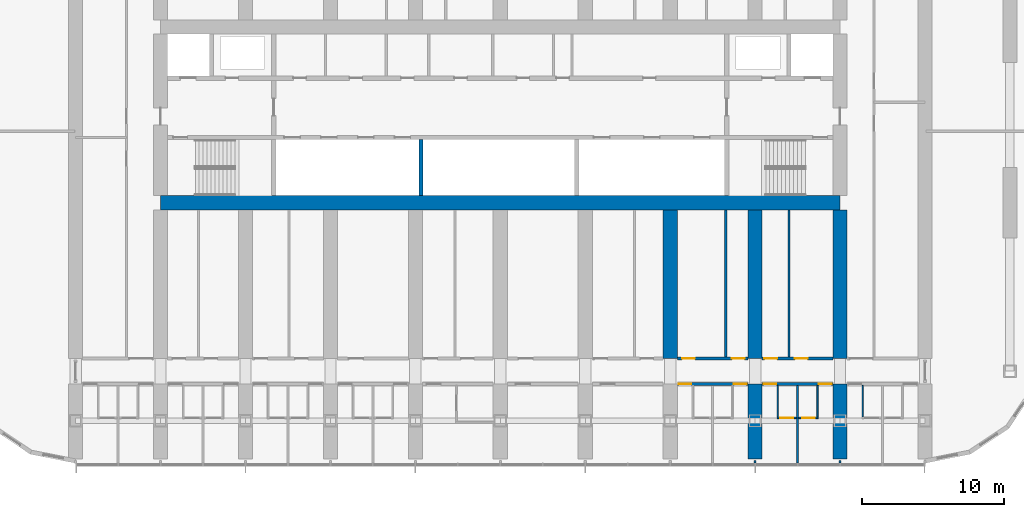
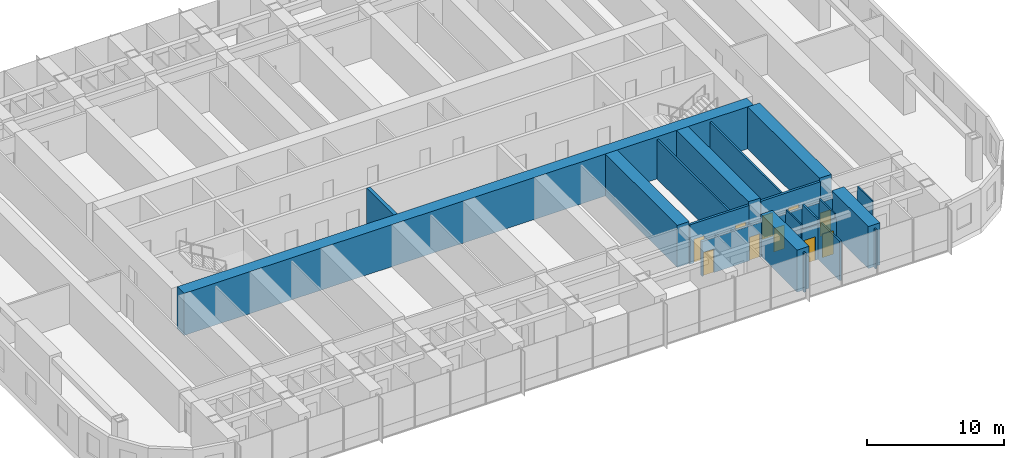
# One storey, part 15 of 28: 21 walls, 10 doors, 10 openings.
"""IFC4 building model written with IfcOpenShell, lengths in metres."""

from ifc_helpers import new_model, si_unit, direction, frame, frame_2d, origin, place, context, subcontext, project, spatial, polyline, rectangle, outline, extrude, material, layer, layer_set, type_object, element, fill, save


model = new_model("IFC4")

# Units and contexts
model_context = context("Model", 3, precision=1e-05, world=origin(), true_north=direction((0.0, 1.0)))
body_context = subcontext(model_context, "Body", "Model", "MODEL_VIEW")
ifc_project = project(units=[si_unit("LENGTHUNIT", "METRE"), si_unit("AREAUNIT", "SQUARE_METRE"), si_unit("VOLUMEUNIT", "CUBIC_METRE"), si_unit("PLANEANGLEUNIT", "RADIAN"), si_unit("MASSUNIT", "GRAM", prefix="KILO")], contexts=[model_context])

# Site, building, storey
site_placement = place(None, origin())
site = spatial("IfcSite", under=ifc_project, at=site_placement, CompositionType="ELEMENT")
building_placement = place(site_placement, origin())
building = spatial("IfcBuilding", under=site, at=building_placement, Name="Orbita Commons", CompositionType="ELEMENT")
storey_placement = place(building_placement, frame((0.0, 0.0, 38.949951171875)))
storey = spatial("IfcBuildingStorey", under=building, at=storey_placement, Name="L09", CompositionType="ELEMENT", Elevation=38.949951171875)

# Walls
ifc_material_1 = material(Name="Concrete C50/60", Category="concrete")
ifc_layer_1 = layer(ifc_material_1, 0.300048828125)
ifc_layer_set_1 = layer_set([ifc_layer_1], Name="Concrete C50/60")
wall_type_1 = type_object("IfcWallType", Name="Core inner wall 300 C50/60", PredefinedType="SHEAR", material=ifc_layer_set_1)
wall_1_placement = place(storey_placement, frame((36.39990234375, 26.300048828125, 0.0), z_axis=(0.0, 0.0, 1.0), x_axis=(0.0, 1.0, 0.0)))
element("IfcWall", 1, at=wall_1_placement, inside=storey, type_object=wall_type_1, Name="Hoistway division wall L09", PredefinedType="SHEAR", context=body_context, shape_type="SweptSolid", body=[
    extrude(rectangle(XDim=3.949951171875, YDim=0.300048828125, at=frame_2d((1.97509765625, 0.0))), origin(), (0.0, 0.0, 1.0), 3.75),
])
ifc_material_2 = material(Name="Concrete C50/60", Category="concrete")
ifc_layer_2 = layer(ifc_material_2, 1.0)
ifc_layer_set_2 = layer_set([ifc_layer_2], Name="Concrete C50/60")
wall_type_2 = type_object("IfcWallType", Name="Core wall 1000 C50/60", PredefinedType="SHEAR", material=ifc_layer_set_2)
wall_2_placement = place(storey_placement, frame((18.0, 25.800048828125, 0.0), z_axis=(0.0, 0.0, 1.0), x_axis=(1.0, 0.0, 0.0)))
element("IfcWall", 2, at=wall_2_placement, inside=storey, type_object=wall_type_2, Name="Core spine wall south L09", PredefinedType="SHEAR", context=body_context, shape_type="SweptSolid", body=[
    extrude(rectangle(XDim=48.0, YDim=1.0, at=frame_2d((24.0, 0.0))), origin(), (0.0, 0.0, 1.0), 3.75),
])

# Wall, openings, doors
ifc_material_3 = material(Name="Concrete blockwork", Category="masonry")
ifc_layer_3 = layer(ifc_material_3, 0.199951171875)
ifc_layer_set_3 = layer_set([ifc_layer_3], Name="Concrete blockwork")
wall_type_3 = type_object("IfcWallType", Name="Corridor wall 200 blockwork", PredefinedType="SOLIDWALL", material=ifc_layer_set_3)
wall_3_placement = place(storey_placement, frame((54.5, 13.0, 0.0), z_axis=(0.0, 0.0, 1.0), x_axis=(1.0, 0.0, 0.0)))
wall_3 = element("IfcWall", 3, at=wall_3_placement, inside=storey, type_object=wall_type_3, Name="Corridor wall 200 blockwork L09", PredefinedType="SOLIDWALL", context=body_context, shape_type="SweptSolid", body=[
    extrude(outline(polyline([(0.0, 0.0), (5.0, 0.0), (5.0, 3.10009765625), (0.0, 3.10009765625), (0.0, 0.0)])), frame((0.0, 0.10009765625, 0.0), z_axis=(0.0, -1.0, 0.0), x_axis=(1.0, 0.0, 0.0)), (0.0, 0.0, 1.0), 0.199951171875),
])
opening_1_placement = place(wall_3_placement, frame((0.10009765625, 0.0, 0.0)))
opening_1 = element("IfcOpeningElement", 4, at=opening_1_placement, cuts=wall_3, Name="Opening D11", PredefinedType="OPENING", context=body_context, shape_type="SweptSolid", body=[
    extrude(rectangle(XDim=0.89990234375, YDim=2.10009765625, at=frame_2d((0.449951171875, 1.050048828125))), frame((0.0, 0.10986328125, 0.0), z_axis=(0.0, -1.0, 0.0), x_axis=(1.0, 0.0, 0.0)), (0.0, 0.0, 1.0), 0.219970703125),
])
opening_2_placement = place(wall_3_placement, frame((4.0, 0.0, 0.0)))
opening_2 = element("IfcOpeningElement", 5, at=opening_2_placement, cuts=wall_3, Name="Opening D11", PredefinedType="OPENING", context=body_context, shape_type="SweptSolid", body=[
    extrude(rectangle(XDim=0.89990234375, YDim=2.10009765625, at=frame_2d((0.449951171875, 1.050048828125))), frame((0.0, 0.10986328125, 0.0), z_axis=(0.0, -1.0, 0.0), x_axis=(1.0, 0.0, 0.0)), (0.0, 0.0, 1.0), 0.219970703125),
])
ifc_material_4 = material(Name="Steel-faced fire door leaf", Category="steel")
door_type_1 = type_object("IfcDoorType", Name="Corridor door 20 min 900x2100", OperationType="SINGLE_SWING_LEFT", PredefinedType="DOOR", material=ifc_material_4)
door_1_placement = place(opening_1_placement, origin())
door_1 = element("IfcDoor", 6, at=door_1_placement, inside=storey, type_object=door_type_1, Name="House bedroom L09-S14 door", OperationType="SINGLE_SWING_LEFT", OverallHeight=2.10009765625, OverallWidth=0.89990234375, PredefinedType="DOOR", context=body_context, shape_type="SweptSolid", body=[
    extrude(rectangle(XDim=0.89990234375, YDim=2.10009765625, at=frame_2d((0.449951171875, 1.050048828125))), frame((0.0, 0.02490234375, 0.0), z_axis=(0.0, -1.0, 0.0), x_axis=(1.0, 0.0, 0.0)), (0.0, 0.0, 1.0), 0.050048828125),
])
fill(opening_1, door_1)
door_2_placement = place(opening_2_placement, origin())
door_2 = element("IfcDoor", 7, at=door_2_placement, inside=storey, type_object=door_type_1, Name="House bedroom L09-S15 door", OperationType="SINGLE_SWING_LEFT", OverallHeight=2.10009765625, OverallWidth=0.89990234375, PredefinedType="DOOR", context=body_context, shape_type="SweptSolid", body=[
    extrude(rectangle(XDim=0.89990234375, YDim=2.10009765625, at=frame_2d((0.449951171875, 1.050048828125))), frame((0.0, 0.02490234375, 0.0), z_axis=(0.0, -1.0, 0.0), x_axis=(1.0, 0.0, 0.0)), (0.0, 0.0, 1.0), 0.050048828125),
])
fill(opening_2, door_2)

wall_4_placement = place(storey_placement, frame((60.5, 13.0, 0.0), z_axis=(0.0, 0.0, 1.0), x_axis=(1.0, 0.0, 0.0)))
wall_4 = element("IfcWall", 8, at=wall_4_placement, inside=storey, type_object=wall_type_3, Name="Corridor wall 200 blockwork L09", PredefinedType="SOLIDWALL", context=body_context, shape_type="SweptSolid", body=[
    extrude(outline(polyline([(0.0, 0.0), (5.0, 0.0), (5.0, 3.10009765625), (0.0, 3.10009765625), (0.0, 0.0)])), frame((0.0, 0.10009765625, 0.0), z_axis=(0.0, -1.0, 0.0), x_axis=(1.0, 0.0, 0.0)), (0.0, 0.0, 1.0), 0.199951171875),
])
opening_3_placement = place(wall_4_placement, frame((0.10009765625, 0.0, 0.0)))
opening_3 = element("IfcOpeningElement", 9, at=opening_3_placement, cuts=wall_4, Name="Opening D11", PredefinedType="OPENING", context=body_context, shape_type="SweptSolid", body=[
    extrude(rectangle(XDim=0.89990234375, YDim=2.10009765625, at=frame_2d((0.449951171875, 1.050048828125))), frame((0.0, 0.10986328125, 0.0), z_axis=(0.0, -1.0, 0.0), x_axis=(1.0, 0.0, 0.0)), (0.0, 0.0, 1.0), 0.219970703125),
])
opening_4_placement = place(wall_4_placement, frame((4.0, 0.0, 0.0)))
opening_4 = element("IfcOpeningElement", 10, at=opening_4_placement, cuts=wall_4, Name="Opening D11", PredefinedType="OPENING", context=body_context, shape_type="SweptSolid", body=[
    extrude(rectangle(XDim=0.89990234375, YDim=2.10009765625, at=frame_2d((0.449951171875, 1.050048828125))), frame((0.0, 0.10986328125, 0.0), z_axis=(0.0, -1.0, 0.0), x_axis=(1.0, 0.0, 0.0)), (0.0, 0.0, 1.0), 0.219970703125),
])
door_3_placement = place(opening_3_placement, origin())
door_3 = element("IfcDoor", 11, at=door_3_placement, inside=storey, type_object=door_type_1, Name="House bedroom L09-S16 door", OperationType="SINGLE_SWING_LEFT", OverallHeight=2.10009765625, OverallWidth=0.89990234375, PredefinedType="DOOR", context=body_context, shape_type="SweptSolid", body=[
    extrude(rectangle(XDim=0.89990234375, YDim=2.10009765625, at=frame_2d((0.449951171875, 1.050048828125))), frame((0.0, 0.02490234375, 0.0), z_axis=(0.0, -1.0, 0.0), x_axis=(1.0, 0.0, 0.0)), (0.0, 0.0, 1.0), 0.050048828125),
])
fill(opening_3, door_3)
door_4_placement = place(opening_4_placement, origin())
door_4 = element("IfcDoor", 12, at=door_4_placement, inside=storey, type_object=door_type_1, Name="House bedroom L09-S17 door", OperationType="SINGLE_SWING_LEFT", OverallHeight=2.10009765625, OverallWidth=0.89990234375, PredefinedType="DOOR", context=body_context, shape_type="SweptSolid", body=[
    extrude(rectangle(XDim=0.89990234375, YDim=2.10009765625, at=frame_2d((0.449951171875, 1.050048828125))), frame((0.0, 0.02490234375, 0.0), z_axis=(0.0, -1.0, 0.0), x_axis=(1.0, 0.0, 0.0)), (0.0, 0.0, 1.0), 0.050048828125),
])
fill(opening_4, door_4)

ifc_material_5 = material(Name="Hollow concrete block 200", Category="concrete")
ifc_layer_4 = layer(ifc_material_5, 0.199951171875)
ifc_layer_set_4 = layer_set([ifc_layer_4], Name="Hollow concrete block 200")
wall_type_4 = type_object("IfcWallType", Name="Corridor wall 200 hollow concrete block", PredefinedType="SOLIDWALL", material=ifc_layer_set_4)
wall_5_placement = place(storey_placement, frame((54.5, 14.800048828125, 0.0), z_axis=(0.0, 0.0, 1.0), x_axis=(1.0, 0.0, 0.0)))
wall_5 = element("IfcWall", 13, at=wall_5_placement, inside=storey, type_object=wall_type_4, Name="Corridor wall 200 hollow concrete block L09", PredefinedType="SOLIDWALL", context=body_context, shape_type="SweptSolid", body=[
    extrude(rectangle(XDim=5.0, YDim=0.199951171875, at=frame_2d((2.5, 0.0))), origin(), (0.0, 0.0, 1.0), 3.5),
])
opening_5_placement = place(wall_5_placement, frame((0.35009765625, 0.0, 0.0)))
opening_5 = element("IfcOpeningElement", 14, at=opening_5_placement, cuts=wall_5, Name="Opening D11", PredefinedType="OPENING", context=body_context, shape_type="SweptSolid", body=[
    extrude(rectangle(XDim=0.89990234375, YDim=2.10009765625, at=frame_2d((0.449951171875, 1.050048828125))), frame((0.0, 0.10986328125, 0.0), z_axis=(0.0, -1.0, 0.0), x_axis=(1.0, 0.0, 0.0)), (0.0, 0.0, 1.0), 0.219970703125),
])
opening_6_placement = place(wall_5_placement, frame((3.85009765625, 0.0, 0.0)))
opening_6 = element("IfcOpeningElement", 15, at=opening_6_placement, cuts=wall_5, Name="Opening D11", PredefinedType="OPENING", context=body_context, shape_type="SweptSolid", body=[
    extrude(rectangle(XDim=0.89990234375, YDim=2.10009765625, at=frame_2d((0.449951171875, 1.050048828125))), frame((0.0, 0.10986328125, 0.0), z_axis=(0.0, -1.0, 0.0), x_axis=(1.0, 0.0, 0.0)), (0.0, 0.0, 1.0), 0.219970703125),
])
door_5_placement = place(opening_5_placement, origin())
door_5 = element("IfcDoor", 16, at=door_5_placement, inside=storey, type_object=door_type_1, Name="Ventilation plant room north L09-BDS54 door", OperationType="SINGLE_SWING_LEFT", OverallHeight=2.10009765625, OverallWidth=0.89990234375, PredefinedType="DOOR", context=body_context, shape_type="SweptSolid", body=[
    extrude(rectangle(XDim=0.89990234375, YDim=2.10009765625, at=frame_2d((0.449951171875, 1.050048828125))), frame((0.0, 0.02490234375, 0.0), z_axis=(0.0, -1.0, 0.0), x_axis=(1.0, 0.0, 0.0)), (0.0, 0.0, 1.0), 0.050048828125),
])
fill(opening_5, door_5)
door_6_placement = place(opening_6_placement, origin())
door_6 = element("IfcDoor", 17, at=door_6_placement, inside=storey, type_object=door_type_1, Name="Water heater cupboard L09-BDS54n door", OperationType="SINGLE_SWING_LEFT", OverallHeight=2.10009765625, OverallWidth=0.89990234375, PredefinedType="DOOR", context=body_context, shape_type="SweptSolid", body=[
    extrude(rectangle(XDim=0.89990234375, YDim=2.10009765625, at=frame_2d((0.449951171875, 1.050048828125))), frame((0.0, 0.02490234375, 0.0), z_axis=(0.0, -1.0, 0.0), x_axis=(1.0, 0.0, 0.0)), (0.0, 0.0, 1.0), 0.050048828125),
])
fill(opening_6, door_6)

wall_6_placement = place(storey_placement, frame((60.5, 14.800048828125, 0.0), z_axis=(0.0, 0.0, 1.0), x_axis=(1.0, 0.0, 0.0)))
wall_6 = element("IfcWall", 18, at=wall_6_placement, inside=storey, type_object=wall_type_4, Name="Corridor wall 200 hollow concrete block L09", PredefinedType="SOLIDWALL", context=body_context, shape_type="SweptSolid", body=[
    extrude(rectangle(XDim=5.0, YDim=0.199951171875, at=frame_2d((2.5, 0.0))), origin(), (0.0, 0.0, 1.0), 3.5),
])
opening_7_placement = place(wall_6_placement, frame((0.14990234375, 0.0, 0.0)))
opening_7 = element("IfcOpeningElement", 19, at=opening_7_placement, cuts=wall_6, Name="Opening D11", PredefinedType="OPENING", context=body_context, shape_type="SweptSolid", body=[
    extrude(rectangle(XDim=0.89990234375, YDim=2.10009765625, at=frame_2d((0.449951171875, 1.050048828125))), frame((0.0, 0.10986328125, 0.0), z_axis=(0.0, -1.0, 0.0), x_axis=(1.0, 0.0, 0.0)), (0.0, 0.0, 1.0), 0.219970703125),
])
opening_8_placement = place(wall_6_placement, frame((2.31005859375, 0.0, 0.0)))
opening_8 = element("IfcOpeningElement", 20, at=opening_8_placement, cuts=wall_6, Name="Opening D11", PredefinedType="OPENING", context=body_context, shape_type="SweptSolid", body=[
    extrude(rectangle(XDim=0.89990234375, YDim=2.10009765625, at=frame_2d((0.449951171875, 1.050048828125))), frame((0.0, 0.10986328125, 0.0), z_axis=(0.0, -1.0, 0.0), x_axis=(1.0, 0.0, 0.0)), (0.0, 0.0, 1.0), 0.219970703125),
])
door_7_placement = place(opening_7_placement, origin())
door_7 = element("IfcDoor", 21, at=door_7_placement, inside=storey, type_object=door_type_1, Name="Equipment store L09-BDS60n door", OperationType="SINGLE_SWING_LEFT", OverallHeight=2.10009765625, OverallWidth=0.89990234375, PredefinedType="DOOR", context=body_context, shape_type="SweptSolid", body=[
    extrude(rectangle(XDim=0.89990234375, YDim=2.10009765625, at=frame_2d((0.449951171875, 1.050048828125))), frame((0.0, 0.02490234375, 0.0), z_axis=(0.0, -1.0, 0.0), x_axis=(1.0, 0.0, 0.0)), (0.0, 0.0, 1.0), 0.050048828125),
])
fill(opening_7, door_7)
door_8_placement = place(opening_8_placement, origin())
door_8 = element("IfcDoor", 22, at=door_8_placement, inside=storey, type_object=door_type_1, Name="Furniture store L09-BDS60 door", OperationType="SINGLE_SWING_LEFT", OverallHeight=2.10009765625, OverallWidth=0.89990234375, PredefinedType="DOOR", context=body_context, shape_type="SweptSolid", body=[
    extrude(rectangle(XDim=0.89990234375, YDim=2.10009765625, at=frame_2d((0.449951171875, 1.050048828125))), frame((0.0, 0.02490234375, 0.0), z_axis=(0.0, -1.0, 0.0), x_axis=(1.0, 0.0, 0.0)), (0.0, 0.0, 1.0), 0.050048828125),
])
fill(opening_8, door_8)

# Walls
ifc_material_6 = material(Name="Concrete C50/60", Category="concrete")
ifc_layer_5 = layer(ifc_material_6, 1.0)
ifc_layer_set_5 = layer_set([ifc_layer_5], Name="Concrete C50/60")
wall_type_5 = type_object("IfcWallType", Name="Cross wall 1000 C50/60", PredefinedType="SHEAR", material=ifc_layer_set_5)
wall_7_placement = place(storey_placement, frame((54.0, 14.800048828125, 0.0), z_axis=(0.0, 0.0, 1.0), x_axis=(0.0, 1.0, 0.0)))
element("IfcWall", 23, at=wall_7_placement, inside=storey, type_object=wall_type_5, Name="Cross wall 10 south inner L09", PredefinedType="SHEAR", context=body_context, shape_type="SweptSolid", body=[
    extrude(rectangle(XDim=10.5, YDim=1.0, at=frame_2d((5.25, 0.0))), origin(), (0.0, 0.0, 1.0), 3.75),
])
wall_8_placement = place(storey_placement, frame((60.0, 7.699951171875, 0.0), z_axis=(0.0, 0.0, 1.0), x_axis=(0.0, 1.0, 0.0)))
element("IfcWall", 24, at=wall_8_placement, inside=storey, type_object=wall_type_5, Name="Cross wall 11 south outer L09", PredefinedType="SHEAR", context=body_context, shape_type="SweptSolid", body=[
    extrude(rectangle(XDim=5.300048828125, YDim=1.0, at=frame_2d((2.64990234375, 0.0))), origin(), (0.0, 0.0, 1.0), 3.75),
])
wall_9_placement = place(storey_placement, frame((60.0, 14.800048828125, 0.0), z_axis=(0.0, 0.0, 1.0), x_axis=(0.0, 1.0, 0.0)))
element("IfcWall", 25, at=wall_9_placement, inside=storey, type_object=wall_type_5, Name="Cross wall 11 south inner L09", PredefinedType="SHEAR", context=body_context, shape_type="SweptSolid", body=[
    extrude(rectangle(XDim=10.5, YDim=1.0, at=frame_2d((5.25, 0.0))), origin(), (0.0, 0.0, 1.0), 3.75),
])
wall_10_placement = place(storey_placement, frame((66.0, 7.699951171875, 0.0), z_axis=(0.0, 0.0, 1.0), x_axis=(0.0, 1.0, 0.0)))
element("IfcWall", 26, at=wall_10_placement, inside=storey, type_object=wall_type_5, Name="Cross wall 12 south outer L09", PredefinedType="SHEAR", context=body_context, shape_type="SweptSolid", body=[
    extrude(rectangle(XDim=5.300048828125, YDim=1.0, at=frame_2d((2.64990234375, 0.0))), origin(), (0.0, 0.0, 1.0), 3.75),
])
wall_11_placement = place(storey_placement, frame((66.0, 14.800048828125, 0.0), z_axis=(0.0, 0.0, 1.0), x_axis=(0.0, 1.0, 0.0)))
element("IfcWall", 27, at=wall_11_placement, inside=storey, type_object=wall_type_5, Name="Cross wall 12 south inner L09", PredefinedType="SHEAR", context=body_context, shape_type="SweptSolid", body=[
    extrude(rectangle(XDim=10.5, YDim=1.0, at=frame_2d((5.25, 0.0))), origin(), (0.0, 0.0, 1.0), 3.75),
])

# Wall, opening, door
ifc_material_7 = material(Name="Moisture-resistant plasterboard on steel studs", Category="steel")
ifc_layer_6 = layer(ifc_material_7, 0.10009765625)
ifc_layer_set_6 = layer_set([ifc_layer_6], Name="Moisture-resistant plasterboard on steel studs")
wall_type_6 = type_object("IfcWallType", Name="En-suite partition 100", PredefinedType="PARTITIONING", material=ifc_layer_set_6)
wall_12_placement = place(storey_placement, frame((62.925048828125, 10.59814453125, 0.0), z_axis=(0.0, 0.0, 1.0), x_axis=(-1.0, 0.0, 0.0)))
wall_12 = element("IfcWall", 28, at=wall_12_placement, inside=storey, type_object=wall_type_6, Name="En-suite partition 100 L09", PredefinedType="PARTITIONING", context=body_context, shape_type="SweptSolid", body=[
    extrude(outline(polyline([(0.0, 0.0), (1.375, 0.0), (1.375, 3.10009765625), (0.0, 3.10009765625), (0.0, 0.0)])), frame((0.0, 0.050048828125, 0.0), z_axis=(0.0, -1.0, 0.0), x_axis=(1.0, 0.0, 0.0)), (0.0, 0.0, 1.0), 0.10009765625),
])
opening_9_placement = place(wall_12_placement, frame((0.237548828125, 0.0, 0.0)))
opening_9 = element("IfcOpeningElement", 29, at=opening_9_placement, cuts=wall_12, Name="Opening D09", PredefinedType="OPENING", context=body_context, shape_type="SweptSolid", body=[
    extrude(rectangle(XDim=0.89990234375, YDim=2.10009765625, at=frame_2d((0.449951171875, 1.050048828125))), frame((0.0, 0.06005859375, 0.0), z_axis=(0.0, -1.0, 0.0), x_axis=(1.0, 0.0, 0.0)), (0.0, 0.0, 1.0), 0.1201171875),
])
ifc_material_8 = material(Name="Laminated timber door leaf", Category="wood")
door_type_2 = type_object("IfcDoorType", Name="En-suite door 900x2100", OperationType="SINGLE_SWING_RIGHT", PredefinedType="DOOR", material=ifc_material_8)
door_9_placement = place(opening_9_placement, origin())
door_9 = element("IfcDoor", 30, at=door_9_placement, inside=storey, type_object=door_type_2, Name="En-suite L09-S16 door", OperationType="SINGLE_SWING_RIGHT", OverallHeight=2.10009765625, OverallWidth=0.89990234375, PredefinedType="DOOR", context=body_context, shape_type="SweptSolid", body=[
    extrude(rectangle(XDim=0.89990234375, YDim=2.10009765625, at=frame_2d((0.449951171875, 1.050048828125))), frame((0.0, 0.02490234375, 0.0), z_axis=(0.0, -1.0, 0.0), x_axis=(1.0, 0.0, 0.0)), (0.0, 0.0, 1.0), 0.050048828125),
])
fill(opening_9, door_9)

# Wall
wall_13_placement = place(storey_placement, frame((61.60009765625, 10.648193359375, 0.0), z_axis=(0.0, 0.0, 1.0), x_axis=(0.0, 1.0, 0.0)))
element("IfcWall", 31, at=wall_13_placement, inside=storey, type_object=wall_type_6, Name="En-suite partition 100 L09", PredefinedType="PARTITIONING", context=body_context, shape_type="SweptSolid", body=[
    extrude(outline(polyline([(0.0, 0.0), (2.251708984375, 0.0), (2.251953125, 3.10009765625), (2.203857421875, 3.10009765625), (2.201904296875, 3.5), (0.0, 3.5), (0.0, 0.0)])), frame((0.0, 0.050048828125, 0.0), z_axis=(0.0, -1.0, 0.0), x_axis=(1.0, 0.0, 0.0)), (0.0, 0.0, 1.0), 0.10009765625),
])

# Wall, opening, door
wall_14_placement = place(storey_placement, frame((64.449951171875, 10.59814453125, 0.0), z_axis=(0.0, 0.0, 1.0), x_axis=(-1.0, 0.0, 0.0)))
wall_14 = element("IfcWall", 32, at=wall_14_placement, inside=storey, type_object=wall_type_6, Name="En-suite partition 100 L09", PredefinedType="PARTITIONING", context=body_context, shape_type="SweptSolid", body=[
    extrude(outline(polyline([(0.0, 0.0), (1.375, 0.0), (1.375, 3.10009765625), (0.0, 3.10009765625), (0.0, 0.0)])), frame((0.0, 0.050048828125, 0.0), z_axis=(0.0, -1.0, 0.0), x_axis=(1.0, 0.0, 0.0)), (0.0, 0.0, 1.0), 0.10009765625),
])
opening_10_placement = place(wall_14_placement, frame((0.237548828125, 0.0, 0.0)))
opening_10 = element("IfcOpeningElement", 33, at=opening_10_placement, cuts=wall_14, Name="Opening D09", PredefinedType="OPENING", context=body_context, shape_type="SweptSolid", body=[
    extrude(rectangle(XDim=0.89990234375, YDim=2.10009765625, at=frame_2d((0.449951171875, 1.050048828125))), frame((0.0, 0.06005859375, 0.0), z_axis=(0.0, -1.0, 0.0), x_axis=(1.0, 0.0, 0.0)), (0.0, 0.0, 1.0), 0.1201171875),
])
door_10_placement = place(opening_10_placement, origin())
door_10 = element("IfcDoor", 34, at=door_10_placement, inside=storey, type_object=door_type_2, Name="En-suite L09-S17 door", OperationType="SINGLE_SWING_RIGHT", OverallHeight=2.10009765625, OverallWidth=0.89990234375, PredefinedType="DOOR", context=body_context, shape_type="SweptSolid", body=[
    extrude(rectangle(XDim=0.89990234375, YDim=2.10009765625, at=frame_2d((0.449951171875, 1.050048828125))), frame((0.0, 0.02490234375, 0.0), z_axis=(0.0, -1.0, 0.0), x_axis=(1.0, 0.0, 0.0)), (0.0, 0.0, 1.0), 0.050048828125),
])
fill(opening_10, door_10)

# Walls
for number, where, z_axis, x_axis, name in (
    (35, (64.39990234375, 10.648193359375, 0.0), (0.0, 0.0, 1.0), (0.0, 1.0, 0.0), "En-suite partition 100 L09"),
    (36, (67.60009765625, 10.648193359375, 0.0), (0.0, 0.0, 1.0), (0.0, 1.0, 0.0), "En-suite partition 100 L09"),
):
    element("IfcWall", number, at=place(storey_placement, frame(where, z_axis=z_axis, x_axis=x_axis)), inside=storey, type_object=wall_type_6, Name=name, PredefinedType="PARTITIONING", context=body_context, shape_type="SweptSolid", body=[
        extrude(outline(polyline([(0.0, 0.0), (2.251708984375, 0.0), (2.251953125, 3.10009765625), (2.203857421875, 3.10009765625), (2.201904296875, 3.5), (0.0, 3.5), (0.0, 0.0)])), frame((0.0, 0.050048828125, 0.0), z_axis=(0.0, -1.0, 0.0), x_axis=(1.0, 0.0, 0.0)), (0.0, 0.0, 1.0), 0.10009765625),
    ])
ifc_material_9 = material(Name="Gypsum plasterboard on steel studs", Category="steel")
ifc_layer_7 = layer(ifc_material_9, 0.14990234375)
ifc_layer_set_7 = layer_set([ifc_layer_7], Name="Gypsum plasterboard on steel studs")
wall_type_7 = type_object("IfcWallType", Name="Partition 150 plasterboard", PredefinedType="PARTITIONING", material=ifc_layer_set_7)
for number, where, z_axis, x_axis, name in (
    (37, (57.925048828125, 14.89990234375, 0.0), (0.0, 0.0, 1.0), (0.0, 1.0, 0.0), "Partition 150 plasterboard L09"),
    (38, (62.385009765625, 14.89990234375, 0.0), (0.0, 0.0, 1.0), (0.0, 1.0, 0.0), "Partition 150 plasterboard L09"),
):
    element("IfcWall", number, at=place(storey_placement, frame(where, z_axis=z_axis, x_axis=x_axis)), inside=storey, type_object=wall_type_7, Name=name, PredefinedType="PARTITIONING", context=body_context, shape_type="SweptSolid", body=[
        extrude(rectangle(XDim=10.400146484375, YDim=0.14990234375, at=frame_2d((5.2001953125, 0.0))), origin(), (0.0, 0.0, 1.0), 3.5),
    ])
for number, where, z_axis, x_axis, name in (
    (39, (60.0, 7.60009765625, 0.0), (0.0, 0.0, 1.0), (0.0, -1.0, 0.0), "Partition 150 plasterboard L09"),
    (40, (66.0, 7.60009765625, 0.0), (0.0, 0.0, 1.0), (0.0, -1.0, 0.0), "Partition 150 plasterboard L09"),
):
    element("IfcWall", number, at=place(storey_placement, frame(where, z_axis=z_axis, x_axis=x_axis)), inside=storey, type_object=wall_type_7, Name=name, PredefinedType="PARTITIONING", context=body_context, shape_type="SweptSolid", body=[
        extrude(rectangle(XDim=0.190185546875, YDim=0.14990234375, at=frame_2d((0.09521484375, 0.0))), origin(), (0.0, 0.0, 1.0), 3.5),
    ])
ifc_material_10 = material(Name="Gypsum plasterboard on steel studs", Category="steel")
ifc_layer_8 = layer(ifc_material_10, 0.14990234375)
ifc_layer_set_8 = layer_set([ifc_layer_8], Name="Gypsum plasterboard on steel studs")
wall_type_8 = type_object("IfcWallType", Name="Party wall 150 plasterboard", PredefinedType="PARTITIONING", material=ifc_layer_set_8)
wall_15_placement = place(storey_placement, frame((63.0, 7.409912109375, 0.0), z_axis=(0.0, 0.0, 1.0), x_axis=(0.0, 1.0, 0.0)))
element("IfcWall", 41, at=wall_15_placement, inside=storey, type_object=wall_type_8, Name="Party wall 150 plasterboard L09", PredefinedType="PARTITIONING", context=body_context, shape_type="SweptSolid", body=[
    extrude(outline(polyline([(0.0, 0.0), (5.489990234375, 0.0), (5.489990234375, 3.10009765625), (5.44189453125, 3.10009765625), (5.43994140625, 3.5), (3.19189453125, 3.5), (3.18994140625, 3.10009765625), (2.7919921875, 3.10009765625), (2.7900390625, 3.5), (0.0, 3.5), (0.0, 0.0)])), frame((0.0, 0.074951171875, 0.0), z_axis=(0.0, -1.0, 0.0), x_axis=(1.0, 0.0, 0.0)), (0.0, 0.0, 1.0), 0.14990234375),
])

save(model, "model.ifc")
